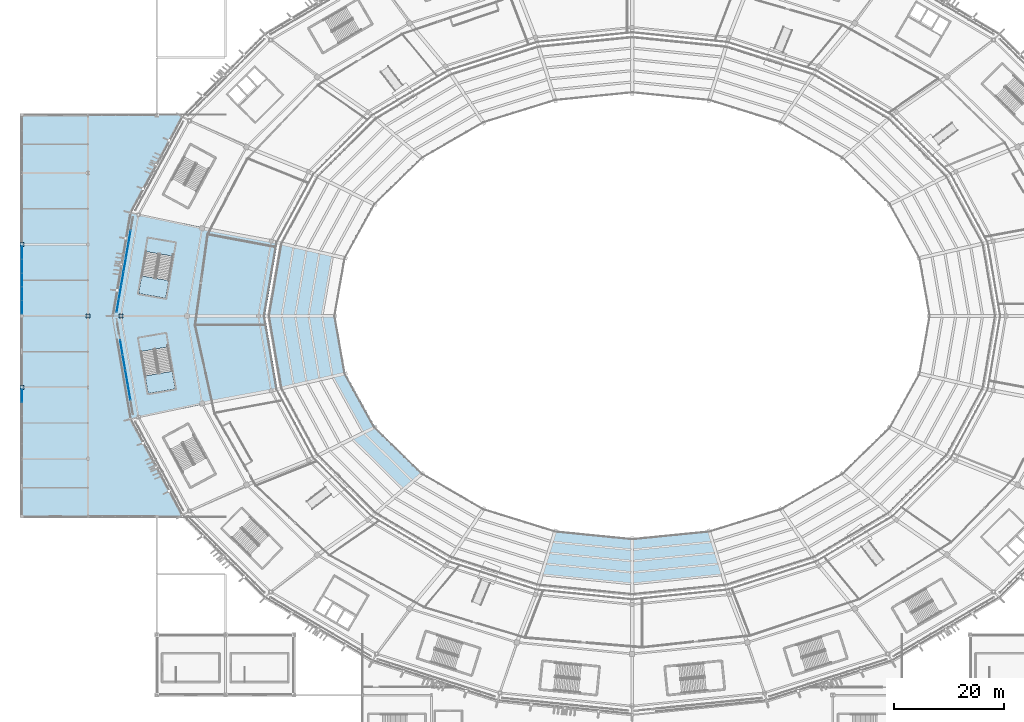
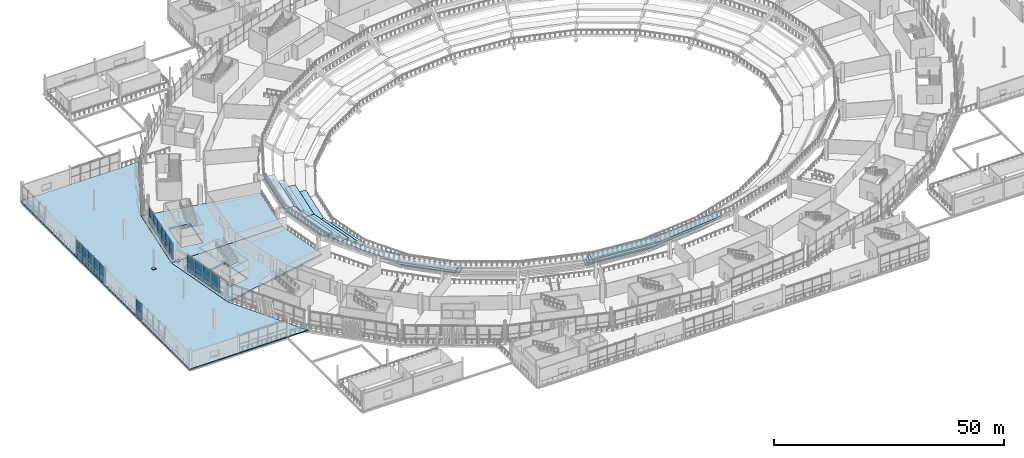
# One storey, part 92 of 178: 36 plates, 25 slabs, 6 elements without a shape of their own.
"""IFC4 building model written with IfcOpenShell, lengths in metres."""

from ifc_helpers import new_model, si_unit, direction, frame, origin, origin_2d, place, context, subcontext, project, spatial, polyline, rectangle, outline, extrude, material, layer, layer_set, type_object, element, aggregate, save


model = new_model("IFC4")

# Units and contexts
model_context = context("Model", 3, precision=1e-05, world=origin(), true_north=direction((0.0, 1.0)))
body_context = subcontext(model_context, "Body", "Model", "MODEL_VIEW")
ifc_project = project(units=[si_unit("LENGTHUNIT", "METRE"), si_unit("AREAUNIT", "SQUARE_METRE"), si_unit("VOLUMEUNIT", "CUBIC_METRE"), si_unit("PLANEANGLEUNIT", "RADIAN"), si_unit("MASSUNIT", "GRAM", prefix="KILO")], contexts=[model_context])

# Site, building, storey
site_placement = place(None, origin())
site = spatial("IfcSite", under=ifc_project, at=site_placement, CompositionType="ELEMENT")
building_placement = place(site_placement, origin())
building = spatial("IfcBuilding", under=site, at=building_placement, Name="Zlatoyarsky Gate Stadium", CompositionType="ELEMENT")
storey_placement = place(building_placement, frame((0.0, 0.0, 5.39990234375)))
storey = spatial("IfcBuildingStorey", under=building, at=storey_placement, Name="L01", CompositionType="ELEMENT", Elevation=5.39990234375)

# Curtain wall, plates
ifc_material_1 = material(Name="Thermally broken anodised aluminium curtain wall", Category="aluminium")
curtain_wall_type_1 = type_object("IfcCurtainWallType", Name="MONUMENTAL ARCHED GATE GLAZING LOWER", PredefinedType="USERDEFINED", material=ifc_material_1)
curtain_wall_1_placement = place(storey_placement, origin())
curtain_wall_1 = element("IfcCurtainWall", 1, at=curtain_wall_1_placement, inside=storey, type_object=curtain_wall_type_1, Name="Curtain wall CW-L01-12", ObjectType="ARCHED GATE GLAZING", PredefinedType="USERDEFINED")
ifc_material_2 = material(Name="Triple-glazed argon low-e architectural glass", Category="glass")
ifc_layer_1 = layer(ifc_material_2, 0.0458984375)
ifc_layer_set_1 = layer_set([ifc_layer_1], Name="Triple-glazed argon low-e architectural glass")
plate_type_1 = type_object("IfcPlateType", Name="ACOUSTIC LAMINATED GATE GLAZING PANEL 46", PredefinedType="CURTAIN_PANEL", material=ifc_layer_set_1)
plate_1_placement = place(storey_placement, frame((18.082275390625, 74.2373046875, 0.074951171875), z_axis=(0.0, 0.0, 1.0), x_axis=(0.169451880356, -0.985538462082, 0.0)))
plate_1 = element("IfcPlate", 2, at=plate_1_placement, type_object=plate_type_1, Name="CW-AG1 panel 1.1", PredefinedType="CURTAIN_PANEL", context=body_context, shape_type="SweptSolid", body=[
    extrude(rectangle(XDim=2.644287109375, YDim=0.0458984375, at=origin_2d()), origin(), (0.0, 0.0, 1.0), 2.03759765625),
])
plate_2_placement = place(storey_placement, frame((18.082275390625, 74.2373046875, 2.1875), z_axis=(0.0, 0.0, 1.0), x_axis=(0.169451880356, -0.985538462082, 0.0)))
plate_2 = element("IfcPlate", 3, at=plate_2_placement, type_object=plate_type_1, Name="CW-AG1 panel 1.2", PredefinedType="CURTAIN_PANEL", context=body_context, shape_type="SweptSolid", body=[
    extrude(rectangle(XDim=2.644287109375, YDim=0.0458984375, at=origin_2d()), origin(), (0.0, 0.0, 1.0), 2.137451171875),
])
plate_3_placement = place(storey_placement, frame((18.546142578125, 71.538818359375, 0.074951171875), z_axis=(0.0, 0.0, 1.0), x_axis=(0.169451880356, -0.985538462082, 0.0)))
plate_3 = element("IfcPlate", 4, at=plate_3_placement, type_object=plate_type_1, Name="CW-AG1 panel 2.1", PredefinedType="CURTAIN_PANEL", context=body_context, shape_type="SweptSolid", body=[
    extrude(rectangle(XDim=2.681884765625, YDim=0.0458984375, at=origin_2d()), origin(), (0.0, 0.0, 1.0), 2.03759765625),
])
plate_4_placement = place(storey_placement, frame((18.546142578125, 71.538818359375, 2.1875), z_axis=(0.0, 0.0, 1.0), x_axis=(0.169451880356, -0.985538462082, 0.0)))
plate_4 = element("IfcPlate", 5, at=plate_4_placement, type_object=plate_type_1, Name="CW-AG1 panel 2.2", PredefinedType="CURTAIN_PANEL", context=body_context, shape_type="SweptSolid", body=[
    extrude(rectangle(XDim=2.681884765625, YDim=0.0458984375, at=origin_2d()), origin(), (0.0, 0.0, 1.0), 2.137451171875),
])
plate_5_placement = place(storey_placement, frame((19.013427734375, 68.82177734375, 0.074951171875), z_axis=(0.0, 0.0, 1.0), x_axis=(0.169451880356, -0.985538462082, 0.0)))
plate_5 = element("IfcPlate", 6, at=plate_5_placement, type_object=plate_type_1, Name="CW-AG1 panel 3.1", PredefinedType="CURTAIN_PANEL", context=body_context, shape_type="SweptSolid", body=[
    extrude(rectangle(XDim=2.681884765625, YDim=0.0458984375, at=origin_2d()), origin(), (0.0, 0.0, 1.0), 2.03759765625),
])
plate_6_placement = place(storey_placement, frame((19.013427734375, 68.82177734375, 2.1875), z_axis=(0.0, 0.0, 1.0), x_axis=(0.169451880356, -0.985538462082, 0.0)))
plate_6 = element("IfcPlate", 7, at=plate_6_placement, type_object=plate_type_1, Name="CW-AG1 panel 3.2", PredefinedType="CURTAIN_PANEL", context=body_context, shape_type="SweptSolid", body=[
    extrude(rectangle(XDim=2.681884765625, YDim=0.0458984375, at=origin_2d()), origin(), (0.0, 0.0, 1.0), 2.137451171875),
])
plate_7_placement = place(storey_placement, frame((19.48046875, 66.104736328125, 0.074951171875), z_axis=(0.0, 0.0, 1.0), x_axis=(0.169451880356, -0.985538462082, 0.0)))
plate_7 = element("IfcPlate", 8, at=plate_7_placement, type_object=plate_type_1, Name="CW-AG1 panel 4.1", PredefinedType="CURTAIN_PANEL", context=body_context, shape_type="SweptSolid", body=[
    extrude(rectangle(XDim=2.681884765625, YDim=0.0458984375, at=origin_2d()), origin(), (0.0, 0.0, 1.0), 2.03759765625),
])
plate_8_placement = place(storey_placement, frame((19.48046875, 66.104736328125, 2.1875), z_axis=(0.0, 0.0, 1.0), x_axis=(0.169451880356, -0.985538462082, 0.0)))
plate_8 = element("IfcPlate", 9, at=plate_8_placement, type_object=plate_type_1, Name="CW-AG1 panel 4.2", PredefinedType="CURTAIN_PANEL", context=body_context, shape_type="SweptSolid", body=[
    extrude(rectangle(XDim=2.681884765625, YDim=0.0458984375, at=origin_2d()), origin(), (0.0, 0.0, 1.0), 2.137451171875),
])
aggregate(curtain_wall_1, [plate_1, plate_2, plate_3, plate_4, plate_5, plate_6, plate_7, plate_8])

# Slabs
ifc_material_3 = material(Name="Concrete C40/50", Category="concrete")
ifc_layer_2 = layer(ifc_material_3, 0.300048828125)
ifc_layer_set_2 = layer_set([ifc_layer_2], Name="Concrete C40/50")
slab_type_1 = type_object("IfcSlabType", Name="CONCRETE CONCOURSE SLAB 300", PredefinedType="FLOOR", material=ifc_layer_set_2)
slab_1_placement = place(storey_placement, frame((0.0, 0.0, -0.2998046875)))
element("IfcSlab", 10, at=slab_1_placement, inside=storey, type_object=slab_type_1, Name="L01 wing V4_WEST slab", PredefinedType="FLOOR", context=body_context, shape_type="SweptSolid", body=[
    extrude(outline(polyline([(29.502197265625, 116.739990234375), (29.066650390625, 116.30419921875), (19.615234375, 98.79248046875), (16.3916015625, 80.0), (19.615234375, 61.20751953125), (29.066650390625, 43.69580078125), (29.502197265625, 43.260009765625), (-0.239990234375, 43.260009765625), (-0.239990234375, 116.739990234375), (29.502197265625, 116.739990234375)])), origin(), (0.0, 0.0, 1.0), 0.2998046875),
])
ifc_layer_3 = layer(ifc_material_3, 0.4599609375)
ifc_layer_set_3 = layer_set([ifc_layer_3], Name="Concrete C40/50")
slab_type_2 = type_object("IfcSlabType", Name="CONCRETE PORTAL TRANSFER SLAB 460", PredefinedType="USERDEFINED", material=ifc_layer_set_3)
slab_2_placement = place(storey_placement, frame((0.0, 0.0, -0.4599609375)))
element("IfcSlab", 11, at=slab_2_placement, inside=storey, type_object=slab_type_2, Name="L01 bowl sector 11 slab", ObjectType="TRANSFER SLAB", PredefinedType="USERDEFINED", context=body_context, shape_type="SweptSolid", body=[
    extrude(outline(polyline([(44.199951171875, 80.0), (16.3916015625, 80.0), (19.615234375, 98.79248046875), (46.476318359375, 93.30322265625), (44.199951171875, 80.0)]), holes=[polyline([(27.452392578125, 90.8583984375), (22.525390625, 91.7080078125), (21.208251953125, 84.07080078125), (26.135498046875, 83.22119140625), (27.452392578125, 90.8583984375)])]), origin(), (0.0, 0.0, 1.0), 0.4599609375),
])
slab_3_placement = place(storey_placement, frame((0.0, 0.0, -0.4599609375)))
element("IfcSlab", 12, at=slab_3_placement, inside=storey, type_object=slab_type_2, Name="L01 bowl sector 12 slab", ObjectType="TRANSFER SLAB", PredefinedType="USERDEFINED", context=body_context, shape_type="SweptSolid", body=[
    extrude(outline(polyline([(46.476318359375, 66.69677734375), (19.615234375, 61.20751953125), (16.3916015625, 80.0), (44.199951171875, 80.0), (46.476318359375, 66.69677734375)]), holes=[polyline([(26.552001953125, 74.364501953125), (21.62451171875, 73.514892578125), (22.941650390625, 65.877685546875), (27.868896484375, 66.727294921875), (26.552001953125, 74.364501953125)])]), origin(), (0.0, 0.0, 1.0), 0.4599609375),
])

# Stair, slab
stair_type = type_object("IfcStairType", Name="CONCRETE DOGLEG EXIT STAIR H5200", PredefinedType="TWO_STRAIGHT_RUN_STAIR", material=ifc_material_3)
stair_1_placement = place(storey_placement, origin())
stair_1 = element("IfcStair", 13, at=stair_1_placement, inside=storey, type_object=stair_type, Name="L01 Exit Stair ST-07", PredefinedType="TWO_STRAIGHT_RUN_STAIR")
ifc_layer_4 = layer(ifc_material_3, 0.199951171875)
ifc_layer_set_4 = layer_set([ifc_layer_4], Name="Concrete C40/50")
slab_type_3 = type_object("IfcSlabType", Name="CONCRETE STAIR LANDING SLAB 200", PredefinedType="LANDING", material=ifc_layer_set_4)
slab_4_placement = place(storey_placement, frame((0.0, 0.0, 2.400146484375)))
slab_4 = element("IfcSlab", 14, at=slab_4_placement, type_object=slab_type_3, Name="ST-DG52 landing 1", PredefinedType="LANDING", context=body_context, shape_type="SweptSolid", body=[
    extrude(outline(polyline([(22.389404296875, 69.080322265625), (22.941650390625, 65.87744140625), (27.868896484375, 66.727294921875), (27.316650390625, 69.929931640625), (22.389404296875, 69.080322265625)])), origin(), (0.0, 0.0, 1.0), 0.199951171875),
])
aggregate(stair_1, [slab_4])

stair_2_placement = place(storey_placement, origin())
stair_2 = element("IfcStair", 15, at=stair_2_placement, inside=storey, type_object=stair_type, Name="L01 Exit Stair ST-18", PredefinedType="TWO_STRAIGHT_RUN_STAIR")
slab_5_placement = place(storey_placement, frame((0.0, 0.0, 2.400146484375)))
slab_5 = element("IfcSlab", 16, at=slab_5_placement, type_object=slab_type_3, Name="ST-DG52 landing 1", PredefinedType="LANDING", context=body_context, shape_type="SweptSolid", body=[
    extrude(outline(polyline([(21.760498046875, 87.2734375), (21.208251953125, 84.07080078125), (26.135498046875, 83.22119140625), (26.687744140625, 86.423828125), (21.760498046875, 87.2734375)])), origin(), (0.0, 0.0, 1.0), 0.199951171875),
])
aggregate(stair_2, [slab_5])

# Slabs
ifc_material_4 = material(Name="Precast concrete C40/50", Category="concrete")
ifc_layer_5 = layer(ifc_material_4, 0.52001953125)
ifc_layer_set_5 = layer_set([ifc_layer_5], Name="Precast concrete C40/50")
slab_type_4 = type_object("IfcSlabType", Name="PRECAST LOWER SEATING TIER UNIT 520", PredefinedType="USERDEFINED", material=ifc_layer_set_5)
slab_6_placement = place(storey_placement, frame((0.0, 0.0, -1.969970703125)))
element("IfcSlab", 17, at=slab_6_placement, inside=storey, type_object=slab_type_4, Name="Lower seating tier sector 11 row 2", ObjectType="SEATING TIER", PredefinedType="USERDEFINED", context=body_context, shape_type="SweptSolid", body=[
    extrude(outline(polyline([(56.483154296875, 91.015380859375), (54.126220703125, 91.548583984375), (52.1201171875, 80.0), (54.56005859375, 80.0), (56.483154296875, 91.015380859375)])), origin(), (0.0, 0.0, 1.0), 0.52001953125),
])
slab_7_placement = place(storey_placement, frame((0.0, 0.0, -0.06982421875)))
element("IfcSlab", 18, at=slab_7_placement, inside=storey, type_object=slab_type_4, Name="Lower seating tier sector 11 row 3", ObjectType="SEATING TIER", PredefinedType="USERDEFINED", context=body_context, shape_type="SweptSolid", body=[
    extrude(outline(polyline([(54.126220703125, 91.548583984375), (51.769287109375, 92.081787109375), (49.679931640625, 80.0), (52.1201171875, 80.0), (54.126220703125, 91.548583984375)])), origin(), (0.0, 0.0, 1.0), 0.52001953125),
])
slab_8_placement = place(storey_placement, frame((0.0, 0.0, 1.830078125)))
element("IfcSlab", 19, at=slab_8_placement, inside=storey, type_object=slab_type_4, Name="Lower seating tier sector 11 row 4", ObjectType="SEATING TIER", PredefinedType="USERDEFINED", context=body_context, shape_type="SweptSolid", body=[
    extrude(outline(polyline([(51.769287109375, 92.081787109375), (49.41259765625, 92.61474609375), (47.239990234375, 80.0), (49.679931640625, 80.0), (51.769287109375, 92.081787109375)])), origin(), (0.0, 0.0, 1.0), 0.52001953125),
])
slab_9_placement = place(storey_placement, frame((0.0, 0.0, 3.72998046875)))
element("IfcSlab", 20, at=slab_9_placement, inside=storey, type_object=slab_type_4, Name="Lower seating tier sector 11 row 5", ObjectType="SEATING TIER", PredefinedType="USERDEFINED", context=body_context, shape_type="SweptSolid", body=[
    extrude(outline(polyline([(49.41259765625, 92.61474609375), (47.0556640625, 93.14794921875), (44.800048828125, 80.0), (47.239990234375, 80.0), (49.41259765625, 92.61474609375)])), origin(), (0.0, 0.0, 1.0), 0.52001953125),
])
slab_10_placement = place(storey_placement, frame((0.0, 0.0, -3.869873046875)))
element("IfcSlab", 21, at=slab_10_placement, inside=storey, type_object=slab_type_4, Name="Lower seating tier sector 12 row 1", ObjectType="SEATING TIER", PredefinedType="USERDEFINED", context=body_context, shape_type="SweptSolid", body=[
    extrude(outline(polyline([(57.0, 80.0), (54.56005859375, 80.0), (56.483154296875, 68.984619140625), (58.840087890625, 69.517822265625), (57.0, 80.0)])), origin(), (0.0, 0.0, 1.0), 0.52001953125),
])
slab_11_placement = place(storey_placement, frame((0.0, 0.0, -1.969970703125)))
element("IfcSlab", 22, at=slab_11_placement, inside=storey, type_object=slab_type_4, Name="Lower seating tier sector 12 row 2", ObjectType="SEATING TIER", PredefinedType="USERDEFINED", context=body_context, shape_type="SweptSolid", body=[
    extrude(outline(polyline([(54.56005859375, 80.0), (52.1201171875, 80.0), (54.126220703125, 68.451416015625), (56.483154296875, 68.984619140625), (54.56005859375, 80.0)])), origin(), (0.0, 0.0, 1.0), 0.52001953125),
])
slab_12_placement = place(storey_placement, frame((0.0, 0.0, -0.06982421875)))
element("IfcSlab", 23, at=slab_12_placement, inside=storey, type_object=slab_type_4, Name="Lower seating tier sector 12 row 3", ObjectType="SEATING TIER", PredefinedType="USERDEFINED", context=body_context, shape_type="SweptSolid", body=[
    extrude(outline(polyline([(52.1201171875, 80.0), (49.679931640625, 80.0), (51.769287109375, 67.918212890625), (54.126220703125, 68.451416015625), (52.1201171875, 80.0)])), origin(), (0.0, 0.0, 1.0), 0.52001953125),
])
slab_13_placement = place(storey_placement, frame((0.0, 0.0, 1.830078125)))
element("IfcSlab", 24, at=slab_13_placement, inside=storey, type_object=slab_type_4, Name="Lower seating tier sector 12 row 4", ObjectType="SEATING TIER", PredefinedType="USERDEFINED", context=body_context, shape_type="SweptSolid", body=[
    extrude(outline(polyline([(49.679931640625, 80.0), (47.239990234375, 80.0), (49.41259765625, 67.38525390625), (51.769287109375, 67.918212890625), (49.679931640625, 80.0)])), origin(), (0.0, 0.0, 1.0), 0.52001953125),
])
slab_14_placement = place(storey_placement, frame((0.0, 0.0, 3.72998046875)))
element("IfcSlab", 25, at=slab_14_placement, inside=storey, type_object=slab_type_4, Name="Lower seating tier sector 12 row 5", ObjectType="SEATING TIER", PredefinedType="USERDEFINED", context=body_context, shape_type="SweptSolid", body=[
    extrude(outline(polyline([(47.239990234375, 80.0), (44.800048828125, 80.0), (47.0556640625, 66.85205078125), (49.41259765625, 67.38525390625), (47.239990234375, 80.0)])), origin(), (0.0, 0.0, 1.0), 0.52001953125),
])
slab_15_placement = place(storey_placement, frame((0.0, 0.0, -3.869873046875)))
element("IfcSlab", 26, at=slab_15_placement, inside=storey, type_object=slab_type_4, Name="Lower seating tier sector 13 row 1", ObjectType="SEATING TIER", PredefinedType="USERDEFINED", context=body_context, shape_type="SweptSolid", body=[
    extrude(outline(polyline([(58.840087890625, 69.517822265625), (56.483154296875, 68.984619140625), (62.12158203125, 58.719970703125), (64.234619140625, 59.75), (58.840087890625, 69.517822265625)])), origin(), (0.0, 0.0, 1.0), 0.52001953125),
])
slab_16_placement = place(storey_placement, frame((0.0, 0.0, -3.869873046875)))
element("IfcSlab", 27, at=slab_16_placement, inside=storey, type_object=slab_type_4, Name="Lower seating tier sector 14 row 1", ObjectType="SEATING TIER", PredefinedType="USERDEFINED", context=body_context, shape_type="SweptSolid", body=[
    extrude(outline(polyline([(64.234619140625, 59.75), (62.12158203125, 58.719970703125), (71.0908203125, 49.905517578125), (72.816162109375, 51.3623046875), (64.234619140625, 59.75)])), origin(), (0.0, 0.0, 1.0), 0.52001953125),
])
slab_17_placement = place(storey_placement, frame((0.0, 0.0, -1.969970703125)))
element("IfcSlab", 28, at=slab_17_placement, inside=storey, type_object=slab_type_4, Name="Lower seating tier sector 14 row 2", ObjectType="SEATING TIER", PredefinedType="USERDEFINED", context=body_context, shape_type="SweptSolid", body=[
    extrude(outline(polyline([(62.12158203125, 58.719970703125), (60.00830078125, 57.68994140625), (69.365478515625, 48.448974609375), (71.0908203125, 49.905517578125), (62.12158203125, 58.719970703125)])), origin(), (0.0, 0.0, 1.0), 0.52001953125),
])
slab_18_placement = place(storey_placement, frame((0.0, 0.0, -3.869873046875)))
element("IfcSlab", 29, at=slab_18_placement, inside=storey, type_object=slab_type_4, Name="Lower seating tier sector 17 row 1", ObjectType="SEATING TIER", PredefinedType="USERDEFINED", context=body_context, shape_type="SweptSolid", body=[
    extrude(outline(polyline([(97.023681640625, 40.8798828125), (96.392333984375, 38.89013671875), (111.0, 37.43994140625), (111.0, 39.5), (97.023681640625, 40.8798828125)])), origin(), (0.0, 0.0, 1.0), 0.52001953125),
])
slab_19_placement = place(storey_placement, frame((0.0, 0.0, -1.969970703125)))
element("IfcSlab", 30, at=slab_19_placement, inside=storey, type_object=slab_type_4, Name="Lower seating tier sector 17 row 2", ObjectType="SEATING TIER", PredefinedType="USERDEFINED", context=body_context, shape_type="SweptSolid", body=[
    extrude(outline(polyline([(96.392333984375, 38.89013671875), (95.7607421875, 36.900390625), (111.0, 35.3798828125), (111.0, 37.43994140625), (96.392333984375, 38.89013671875)])), origin(), (0.0, 0.0, 1.0), 0.52001953125),
])
slab_20_placement = place(storey_placement, frame((0.0, 0.0, -0.06982421875)))
element("IfcSlab", 31, at=slab_20_placement, inside=storey, type_object=slab_type_4, Name="Lower seating tier sector 17 row 3", ObjectType="SEATING TIER", PredefinedType="USERDEFINED", context=body_context, shape_type="SweptSolid", body=[
    extrude(outline(polyline([(95.7607421875, 36.900390625), (95.129150390625, 34.91064453125), (111.0, 33.320068359375), (111.0, 35.3798828125), (95.7607421875, 36.900390625)])), origin(), (0.0, 0.0, 1.0), 0.52001953125),
])
slab_21_placement = place(storey_placement, frame((0.0, 0.0, 1.830078125)))
element("IfcSlab", 32, at=slab_21_placement, inside=storey, type_object=slab_type_4, Name="Lower seating tier sector 17 row 4", ObjectType="SEATING TIER", PredefinedType="USERDEFINED", context=body_context, shape_type="SweptSolid", body=[
    extrude(outline(polyline([(95.129150390625, 34.91064453125), (94.497802734375, 32.9208984375), (111.0, 31.260009765625), (111.0, 33.320068359375), (95.129150390625, 34.91064453125)])), origin(), (0.0, 0.0, 1.0), 0.52001953125),
])
slab_22_placement = place(storey_placement, frame((0.0, 0.0, -3.869873046875)))
element("IfcSlab", 33, at=slab_22_placement, inside=storey, type_object=slab_type_4, Name="Lower seating tier sector 18 row 1", ObjectType="SEATING TIER", PredefinedType="USERDEFINED", context=body_context, shape_type="SweptSolid", body=[
    extrude(outline(polyline([(111.0, 39.5), (111.0, 37.43994140625), (125.607666015625, 38.89013671875), (124.976318359375, 40.8798828125), (111.0, 39.5)])), origin(), (0.0, 0.0, 1.0), 0.52001953125),
])
slab_23_placement = place(storey_placement, frame((0.0, 0.0, -1.969970703125)))
element("IfcSlab", 34, at=slab_23_placement, inside=storey, type_object=slab_type_4, Name="Lower seating tier sector 18 row 2", ObjectType="SEATING TIER", PredefinedType="USERDEFINED", context=body_context, shape_type="SweptSolid", body=[
    extrude(outline(polyline([(111.0, 37.43994140625), (111.0, 35.3798828125), (126.2392578125, 36.900390625), (125.607666015625, 38.89013671875), (111.0, 37.43994140625)])), origin(), (0.0, 0.0, 1.0), 0.52001953125),
])
slab_24_placement = place(storey_placement, frame((0.0, 0.0, -0.06982421875)))
element("IfcSlab", 35, at=slab_24_placement, inside=storey, type_object=slab_type_4, Name="Lower seating tier sector 18 row 3", ObjectType="SEATING TIER", PredefinedType="USERDEFINED", context=body_context, shape_type="SweptSolid", body=[
    extrude(outline(polyline([(111.0, 35.3798828125), (111.0, 33.320068359375), (126.870849609375, 34.91064453125), (126.2392578125, 36.900390625), (111.0, 35.3798828125)])), origin(), (0.0, 0.0, 1.0), 0.52001953125),
])
slab_25_placement = place(storey_placement, frame((0.0, 0.0, 1.830078125)))
element("IfcSlab", 36, at=slab_25_placement, inside=storey, type_object=slab_type_4, Name="Lower seating tier sector 18 row 4", ObjectType="SEATING TIER", PredefinedType="USERDEFINED", context=body_context, shape_type="SweptSolid", body=[
    extrude(outline(polyline([(111.0, 33.320068359375), (111.0, 31.260009765625), (127.502197265625, 32.9208984375), (126.870849609375, 34.91064453125), (111.0, 33.320068359375)])), origin(), (0.0, 0.0, 1.0), 0.52001953125),
])

# Plates
ifc_material_5 = material(Name="Steel S355", Category="steel")
ifc_layer_6 = layer(ifc_material_5, 0.0400390625)
ifc_layer_set_6 = layer_set([ifc_layer_6], Name="Steel S355")
plate_type_2 = type_object("IfcPlateType", Name="STEEL COLUMN BASE PLATE 40", PredefinedType="USERDEFINED", material=ifc_layer_set_6)
for number, where, z_axis, x_axis, name in (
    (37, (18.0, 80.0, 0.0), (0.0, 0.0, 1.0), (1.0, 0.0, 0.0), "Column base plate BP-01 at RC-12 L01"),
    (38, (0.0, 67.0, 0.0), (0.0, 0.0, 1.0), (1.0, 0.0, 0.0), "Column base plate BP-01 at WG-1-G L01"),
    (39, (0.0, 93.0, 0.0), (0.0, 0.0, 1.0), (1.0, 0.0, 0.0), "Column base plate BP-01 at WG-1-J L01"),
    (40, (12.0, 80.0, 0.0), (0.0, 0.0, 1.0), (1.0, 0.0, 0.0), "Column base plate BP-01 at WG-2-H L01"),
):
    element("IfcPlate", number, at=place(storey_placement, frame(where, z_axis=z_axis, x_axis=x_axis)), inside=storey, type_object=plate_type_2, Name=name, ObjectType="BASE PLATE", PredefinedType="USERDEFINED", context=body_context, shape_type="SweptSolid", body=[
        extrude(rectangle(XDim=0.75, YDim=0.75, at=origin_2d()), origin(), (0.0, 0.0, 1.0), 0.0400390625),
    ])

# Curtain wall, plates
curtain_wall_type_2 = type_object("IfcCurtainWallType", Name="UNITISED HOSPITALITY GLAZING L01", PredefinedType="USERDEFINED", material=ifc_material_1)
curtain_wall_2_placement = place(storey_placement, origin())
curtain_wall_2 = element("IfcCurtainWall", 41, at=curtain_wall_2_placement, inside=storey, type_object=curtain_wall_type_2, Name="Curtain wall CW-L01-11", ObjectType="UNITISED GLAZING", PredefinedType="USERDEFINED")
ifc_layer_7 = layer(ifc_material_2, 0.0380859375)
ifc_layer_set_7 = layer_set([ifc_layer_7], Name="Triple-glazed argon low-e architectural glass")
plate_type_3 = type_object("IfcPlateType", Name="TRIPLE GLAZED LOW E CURTAIN PANEL 38", PredefinedType="CURTAIN_PANEL", material=ifc_layer_set_7)
plate_9_placement = place(storey_placement, frame((19.542724609375, 94.257080078125, 0.06494140625), z_axis=(0.0, 0.0, 1.0), x_axis=(-0.169451371657, -0.985538549547, 0.0)))
plate_9 = element("IfcPlate", 42, at=plate_9_placement, type_object=plate_type_3, Name="CW-UG1 panel 2.1", PredefinedType="CURTAIN_PANEL", context=body_context, shape_type="SweptSolid", body=[
    extrude(rectangle(XDim=2.447021484375, YDim=0.0380859375, at=origin_2d()), origin(), (0.0, 0.0, 1.0), 2.052490234375),
])
plate_10_placement = place(storey_placement, frame((19.542724609375, 94.257080078125, 2.1826171875), z_axis=(0.0, 0.0, 1.0), x_axis=(-0.169451371657, -0.985538549547, 0.0)))
plate_10 = element("IfcPlate", 43, at=plate_10_placement, type_object=plate_type_3, Name="CW-UG1 panel 2.2", PredefinedType="CURTAIN_PANEL", context=body_context, shape_type="SweptSolid", body=[
    extrude(rectangle(XDim=2.447021484375, YDim=0.0380859375, at=origin_2d()), origin(), (0.0, 0.0, 1.0), 2.152587890625),
])
plate_11_placement = place(storey_placement, frame((19.1171875, 91.781494140625, 0.06494140625), z_axis=(0.0, 0.0, 1.0), x_axis=(-0.169451371657, -0.985538549547, 0.0)))
plate_11 = element("IfcPlate", 44, at=plate_11_placement, type_object=plate_type_3, Name="CW-UG1 panel 3.1", PredefinedType="CURTAIN_PANEL", context=body_context, shape_type="SweptSolid", body=[
    extrude(rectangle(XDim=2.447021484375, YDim=0.0380859375, at=origin_2d()), origin(), (0.0, 0.0, 1.0), 2.052490234375),
])
plate_12_placement = place(storey_placement, frame((19.1171875, 91.781494140625, 2.1826171875), z_axis=(0.0, 0.0, 1.0), x_axis=(-0.169451371657, -0.985538549547, 0.0)))
plate_12 = element("IfcPlate", 45, at=plate_12_placement, type_object=plate_type_3, Name="CW-UG1 panel 3.2", PredefinedType="CURTAIN_PANEL", context=body_context, shape_type="SweptSolid", body=[
    extrude(rectangle(XDim=2.447021484375, YDim=0.0380859375, at=origin_2d()), origin(), (0.0, 0.0, 1.0), 2.152587890625),
])
plate_13_placement = place(storey_placement, frame((18.69140625, 89.3056640625, 0.06494140625), z_axis=(0.0, 0.0, 1.0), x_axis=(-0.169451371657, -0.985538549547, 0.0)))
plate_13 = element("IfcPlate", 46, at=plate_13_placement, type_object=plate_type_3, Name="CW-UG1 panel 4.1", PredefinedType="CURTAIN_PANEL", context=body_context, shape_type="SweptSolid", body=[
    extrude(rectangle(XDim=2.447021484375, YDim=0.0380859375, at=origin_2d()), origin(), (0.0, 0.0, 1.0), 2.052490234375),
])
plate_14_placement = place(storey_placement, frame((18.69140625, 89.3056640625, 2.1826171875), z_axis=(0.0, 0.0, 1.0), x_axis=(-0.169451371657, -0.985538549547, 0.0)))
plate_14 = element("IfcPlate", 47, at=plate_14_placement, type_object=plate_type_3, Name="CW-UG1 panel 4.2", PredefinedType="CURTAIN_PANEL", context=body_context, shape_type="SweptSolid", body=[
    extrude(rectangle(XDim=2.447021484375, YDim=0.0380859375, at=origin_2d()), origin(), (0.0, 0.0, 1.0), 2.152587890625),
])
plate_15_placement = place(storey_placement, frame((18.265869140625, 86.829833984375, 0.06494140625), z_axis=(0.0, 0.0, 1.0), x_axis=(-0.169451371657, -0.985538549547, 0.0)))
plate_15 = element("IfcPlate", 48, at=plate_15_placement, type_object=plate_type_3, Name="CW-UG1 panel 5.1", PredefinedType="CURTAIN_PANEL", context=body_context, shape_type="SweptSolid", body=[
    extrude(rectangle(XDim=2.447021484375, YDim=0.0380859375, at=origin_2d()), origin(), (0.0, 0.0, 1.0), 2.052490234375),
])
plate_16_placement = place(storey_placement, frame((18.265869140625, 86.829833984375, 2.1826171875), z_axis=(0.0, 0.0, 1.0), x_axis=(-0.169451371657, -0.985538549547, 0.0)))
plate_16 = element("IfcPlate", 49, at=plate_16_placement, type_object=plate_type_3, Name="CW-UG1 panel 5.2", PredefinedType="CURTAIN_PANEL", context=body_context, shape_type="SweptSolid", body=[
    extrude(rectangle(XDim=2.447021484375, YDim=0.0380859375, at=origin_2d()), origin(), (0.0, 0.0, 1.0), 2.152587890625),
])
plate_17_placement = place(storey_placement, frame((17.840087890625, 84.354248046875, 0.06494140625), z_axis=(0.0, 0.0, 1.0), x_axis=(-0.169451371657, -0.985538549547, 0.0)))
plate_17 = element("IfcPlate", 50, at=plate_17_placement, type_object=plate_type_3, Name="CW-UG1 panel 6.1", PredefinedType="CURTAIN_PANEL", context=body_context, shape_type="SweptSolid", body=[
    extrude(rectangle(XDim=2.447021484375, YDim=0.0380859375, at=origin_2d()), origin(), (0.0, 0.0, 1.0), 2.052490234375),
])
plate_18_placement = place(storey_placement, frame((17.840087890625, 84.354248046875, 2.1826171875), z_axis=(0.0, 0.0, 1.0), x_axis=(-0.169451371657, -0.985538549547, 0.0)))
plate_18 = element("IfcPlate", 51, at=plate_18_placement, type_object=plate_type_3, Name="CW-UG1 panel 6.2", PredefinedType="CURTAIN_PANEL", context=body_context, shape_type="SweptSolid", body=[
    extrude(rectangle(XDim=2.447021484375, YDim=0.0380859375, at=origin_2d()), origin(), (0.0, 0.0, 1.0), 2.152587890625),
])
plate_19_placement = place(storey_placement, frame((17.417236328125, 81.89453125, 0.06494140625), z_axis=(0.0, 0.0, 1.0), x_axis=(-0.169451371657, -0.985538549547, 0.0)))
plate_19 = element("IfcPlate", 52, at=plate_19_placement, type_object=plate_type_3, Name="CW-UG1 panel 7.1", PredefinedType="CURTAIN_PANEL", context=body_context, shape_type="SweptSolid", body=[
    extrude(rectangle(XDim=2.41455078125, YDim=0.0380859375, at=origin_2d()), origin(), (0.0, 0.0, 1.0), 2.052490234375),
])
plate_20_placement = place(storey_placement, frame((17.417236328125, 81.89453125, 2.1826171875), z_axis=(0.0, 0.0, 1.0), x_axis=(-0.169451371657, -0.985538549547, 0.0)))
plate_20 = element("IfcPlate", 53, at=plate_20_placement, type_object=plate_type_3, Name="CW-UG1 panel 7.2", PredefinedType="CURTAIN_PANEL", context=body_context, shape_type="SweptSolid", body=[
    extrude(rectangle(XDim=2.41455078125, YDim=0.0380859375, at=origin_2d()), origin(), (0.0, 0.0, 1.0), 2.152587890625),
])
aggregate(curtain_wall_2, [plate_9, plate_10, plate_11, plate_12, plate_13, plate_14, plate_15, plate_16, plate_17, plate_18, plate_19, plate_20])

curtain_wall_type_3 = type_object("IfcCurtainWallType", Name="WINTER GARDEN CONSERVATORY GLAZING", PredefinedType="USERDEFINED", material=ifc_material_1)
curtain_wall_3_placement = place(storey_placement, origin())
curtain_wall_3 = element("IfcCurtainWall", 54, at=curtain_wall_3_placement, inside=storey, type_object=curtain_wall_type_3, Name="Curtain wall CW-V4_WEST-L01-165", ObjectType="UNITISED GLAZING", PredefinedType="USERDEFINED")
plate_21_placement = place(storey_placement, frame((0.0, 65.494140625, 0.06494140625), z_axis=(0.0, 0.0, 1.0), x_axis=(0.0, 1.0, 0.0)))
plate_21 = element("IfcPlate", 55, at=plate_21_placement, type_object=plate_type_3, Name="CW-WG1 panel 5.1", PredefinedType="CURTAIN_PANEL", context=body_context, shape_type="SweptSolid", body=[
    extrude(rectangle(XDim=2.40771484375, YDim=0.0380859375, at=origin_2d()), origin(), (0.0, 0.0, 1.0), 2.052490234375),
])
plate_22_placement = place(storey_placement, frame((0.0, 65.494140625, 2.1826171875), z_axis=(0.0, 0.0, 1.0), x_axis=(0.0, 1.0, 0.0)))
plate_22 = element("IfcPlate", 56, at=plate_22_placement, type_object=plate_type_3, Name="CW-WG1 panel 5.2", PredefinedType="CURTAIN_PANEL", context=body_context, shape_type="SweptSolid", body=[
    extrude(rectangle(XDim=2.40771484375, YDim=0.0380859375, at=origin_2d()), origin(), (0.0, 0.0, 1.0), 2.052490234375),
])
aggregate(curtain_wall_3, [plate_21, plate_22])

curtain_wall_4_placement = place(storey_placement, origin())
curtain_wall_4 = element("IfcCurtainWall", 57, at=curtain_wall_4_placement, inside=storey, type_object=curtain_wall_type_3, Name="Curtain wall CW-V4_WEST-L01-166", ObjectType="UNITISED GLAZING", PredefinedType="USERDEFINED")
plate_23_placement = place(storey_placement, frame((0.0, 81.5732421875, 0.06494140625), z_axis=(0.0, 0.0, 1.0), x_axis=(0.0, 1.0, 0.0)))
plate_23 = element("IfcPlate", 58, at=plate_23_placement, type_object=plate_type_3, Name="CW-WG1 panel 1.1", PredefinedType="CURTAIN_PANEL", context=body_context, shape_type="SweptSolid", body=[
    extrude(rectangle(XDim=2.392578125, YDim=0.0380859375, at=origin_2d()), origin(), (0.0, 0.0, 1.0), 2.052490234375),
])
plate_24_placement = place(storey_placement, frame((0.0, 81.5732421875, 2.1826171875), z_axis=(0.0, 0.0, 1.0), x_axis=(0.0, 1.0, 0.0)))
plate_24 = element("IfcPlate", 59, at=plate_24_placement, type_object=plate_type_3, Name="CW-WG1 panel 1.2", PredefinedType="CURTAIN_PANEL", context=body_context, shape_type="SweptSolid", body=[
    extrude(rectangle(XDim=2.392578125, YDim=0.0380859375, at=origin_2d()), origin(), (0.0, 0.0, 1.0), 2.052490234375),
])
plate_25_placement = place(storey_placement, frame((0.0, 84.04736328125, 0.06494140625), z_axis=(0.0, 0.0, 1.0), x_axis=(0.0, 1.0, 0.0)))
plate_25 = element("IfcPlate", 60, at=plate_25_placement, type_object=plate_type_3, Name="CW-WG1 panel 2.1", PredefinedType="CURTAIN_PANEL", context=body_context, shape_type="SweptSolid", body=[
    extrude(rectangle(XDim=2.42529296875, YDim=0.0380859375, at=origin_2d()), origin(), (0.0, 0.0, 1.0), 2.052490234375),
])
plate_26_placement = place(storey_placement, frame((0.0, 84.04736328125, 2.1826171875), z_axis=(0.0, 0.0, 1.0), x_axis=(0.0, 1.0, 0.0)))
plate_26 = element("IfcPlate", 61, at=plate_26_placement, type_object=plate_type_3, Name="CW-WG1 panel 2.2", PredefinedType="CURTAIN_PANEL", context=body_context, shape_type="SweptSolid", body=[
    extrude(rectangle(XDim=2.42529296875, YDim=0.0380859375, at=origin_2d()), origin(), (0.0, 0.0, 1.0), 2.052490234375),
])
plate_27_placement = place(storey_placement, frame((0.0, 86.53759765625, 0.06494140625), z_axis=(0.0, 0.0, 1.0), x_axis=(0.0, 1.0, 0.0)))
plate_27 = element("IfcPlate", 62, at=plate_27_placement, type_object=plate_type_3, Name="CW-WG1 panel 3.1", PredefinedType="CURTAIN_PANEL", context=body_context, shape_type="SweptSolid", body=[
    extrude(rectangle(XDim=2.42529296875, YDim=0.0380859375, at=origin_2d()), origin(), (0.0, 0.0, 1.0), 2.052490234375),
])
plate_28_placement = place(storey_placement, frame((0.0, 86.53759765625, 2.1826171875), z_axis=(0.0, 0.0, 1.0), x_axis=(0.0, 1.0, 0.0)))
plate_28 = element("IfcPlate", 63, at=plate_28_placement, type_object=plate_type_3, Name="CW-WG1 panel 3.2", PredefinedType="CURTAIN_PANEL", context=body_context, shape_type="SweptSolid", body=[
    extrude(rectangle(XDim=2.42529296875, YDim=0.0380859375, at=origin_2d()), origin(), (0.0, 0.0, 1.0), 2.052490234375),
])
plate_29_placement = place(storey_placement, frame((0.0, 89.027587890625, 0.06494140625), z_axis=(0.0, 0.0, 1.0), x_axis=(0.0, 1.0, 0.0)))
plate_29 = element("IfcPlate", 64, at=plate_29_placement, type_object=plate_type_3, Name="CW-WG1 panel 4.1", PredefinedType="CURTAIN_PANEL", context=body_context, shape_type="SweptSolid", body=[
    extrude(rectangle(XDim=2.42529296875, YDim=0.0380859375, at=origin_2d()), origin(), (0.0, 0.0, 1.0), 2.052490234375),
])
plate_30_placement = place(storey_placement, frame((0.0, 89.027587890625, 2.1826171875), z_axis=(0.0, 0.0, 1.0), x_axis=(0.0, 1.0, 0.0)))
plate_30 = element("IfcPlate", 65, at=plate_30_placement, type_object=plate_type_3, Name="CW-WG1 panel 4.2", PredefinedType="CURTAIN_PANEL", context=body_context, shape_type="SweptSolid", body=[
    extrude(rectangle(XDim=2.42529296875, YDim=0.0380859375, at=origin_2d()), origin(), (0.0, 0.0, 1.0), 2.052490234375),
])
plate_31_placement = place(storey_placement, frame((0.0, 91.501708984375, 0.06494140625), z_axis=(0.0, 0.0, 1.0), x_axis=(0.0, 1.0, 0.0)))
plate_31 = element("IfcPlate", 66, at=plate_31_placement, type_object=plate_type_3, Name="CW-WG1 panel 5.1", PredefinedType="CURTAIN_PANEL", context=body_context, shape_type="SweptSolid", body=[
    extrude(rectangle(XDim=2.392578125, YDim=0.0380859375, at=origin_2d()), origin(), (0.0, 0.0, 1.0), 2.052490234375),
])
plate_32_placement = place(storey_placement, frame((0.0, 91.501708984375, 2.1826171875), z_axis=(0.0, 0.0, 1.0), x_axis=(0.0, 1.0, 0.0)))
plate_32 = element("IfcPlate", 67, at=plate_32_placement, type_object=plate_type_3, Name="CW-WG1 panel 5.2", PredefinedType="CURTAIN_PANEL", context=body_context, shape_type="SweptSolid", body=[
    extrude(rectangle(XDim=2.392578125, YDim=0.0380859375, at=origin_2d()), origin(), (0.0, 0.0, 1.0), 2.052490234375),
])
aggregate(curtain_wall_4, [plate_23, plate_24, plate_25, plate_26, plate_27, plate_28, plate_29, plate_30, plate_31, plate_32])

save(model, "model.ifc")
